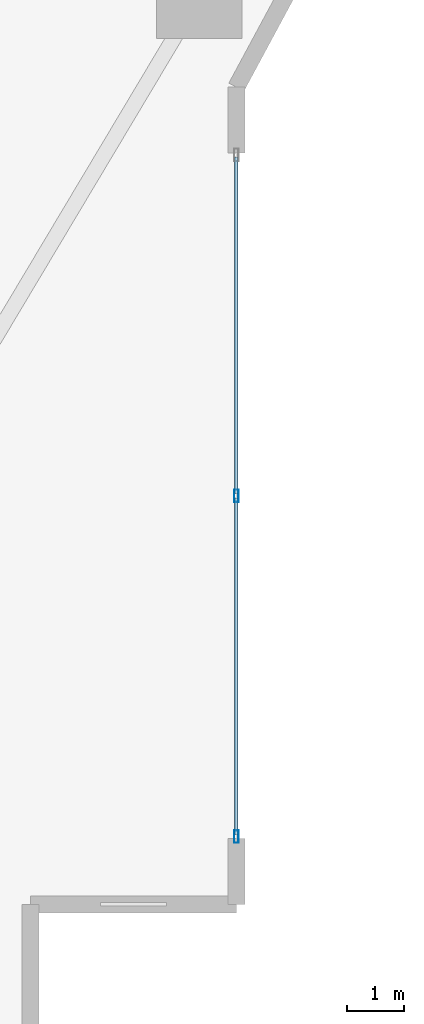
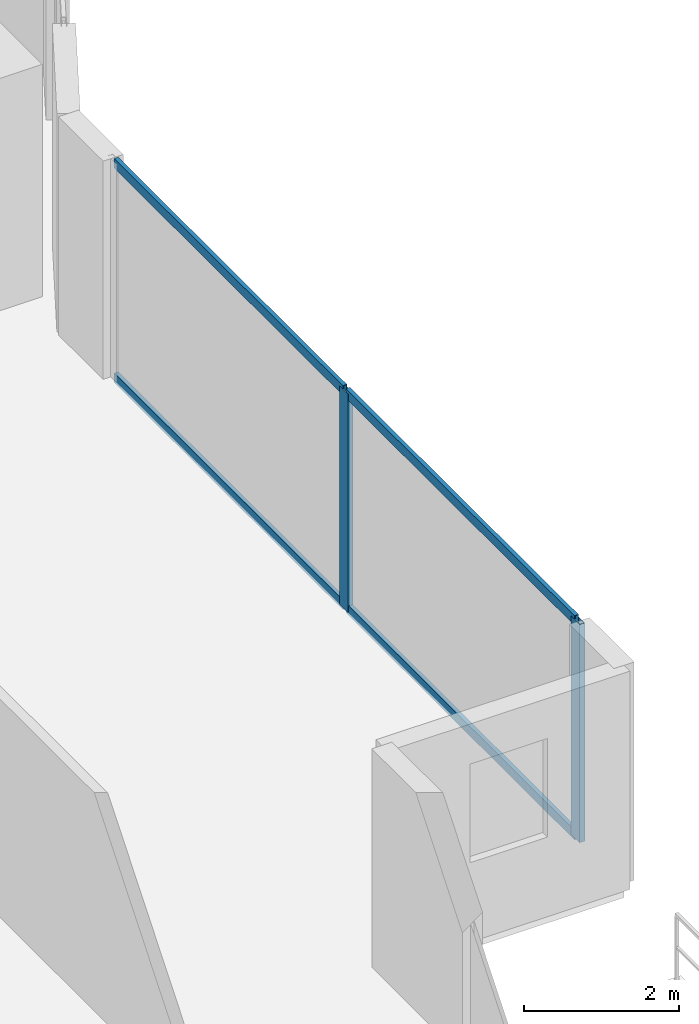
# One storey, part 10 of 29: 6 members, 1 element without a shape of its own.
"""IFC4 building model written with IfcOpenShell, lengths in metres."""

from ifc_helpers import new_model, si_unit, direction, frame, origin, origin_2d, place, context, subcontext, project, spatial, hollow_rectangle, extrude, material, layer, layer_set, material_profile, profile_set, type_object, element, aggregate, save


model = new_model("IFC4")

# Units and contexts
model_context = context("Model", 3, precision=1e-05, world=origin(), true_north=direction((0.0, 1.0)))
body_context = subcontext(model_context, "Body", "Model", "MODEL_VIEW")
ifc_project = project(units=[si_unit("LENGTHUNIT", "METRE"), si_unit("AREAUNIT", "SQUARE_METRE"), si_unit("VOLUMEUNIT", "CUBIC_METRE"), si_unit("PLANEANGLEUNIT", "RADIAN"), si_unit("MASSUNIT", "GRAM", prefix="KILO")], contexts=[model_context])

# Site, building, storey
site_placement = place(None, origin())
site = spatial("IfcSite", under=ifc_project, at=site_placement, CompositionType="ELEMENT")
building_placement = place(site_placement, origin())
building = spatial("IfcBuilding", under=site, at=building_placement, Name="Zuhayl Quay Hotel", CompositionType="ELEMENT")
storey_placement = place(building_placement, frame((0.0, 0.0, 45.85009765625)))
storey = spatial("IfcBuildingStorey", under=building, at=storey_placement, Name="L10", CompositionType="ELEMENT", Elevation=45.85009765625)

# Curtain wall, members
ifc_material_1 = material(Name="Anodised Aluminium 6063-T6", Category="aluminium")
ifc_layer = layer(ifc_material_1, 0.18994140625, Name="Anodised Aluminium 6063-T6", Category="aluminium")
ifc_layer_set = layer_set([ifc_layer], Name="Anodised Aluminium 6063-T6")
curtain_wall_type = type_object("IfcCurtainWallType", Name="CW_SYS_Z1", PredefinedType="USERDEFINED", material=ifc_layer_set)
curtain_wall_placement = place(storey_placement, origin())
curtain_wall = element("IfcCurtainWall", 1, at=curtain_wall_placement, inside=storey, type_object=curtain_wall_type, Name="L10 Curtain Wall ENV_L10_E14_CW1", ObjectType="UNITISED CURTAIN WALL", PredefinedType="USERDEFINED")
ifc_material_2 = material(Name="Black-anodised aluminium 6063-T6", Category="aluminium")
ifc_material_profile_1 = material_profile(ifc_material_2, hollow_rectangle(XDim=0.074951171875, YDim=0.219970703125, WallThickness=0.00390625, at=origin_2d()), Name="ALU220X75")
ifc_profile_set_1 = profile_set([ifc_material_profile_1], Name="Black-anodised aluminium 6063-T6")
member_type_1 = type_object("IfcMemberType", Name="MB_CW_MUL_220", PredefinedType="MULLION", material=ifc_profile_set_1)
member_1_placement = place(storey_placement, frame((25.699951171875, -12.35009765625, 0.0), z_axis=(0.0, 0.0, 1.0), x_axis=(1.0, 0.0, 0.0)))
member_1 = element("IfcMember", 2, at=member_1_placement, type_object=member_type_1, Name="CW-Z1 mullion 2", PredefinedType="MULLION", context=body_context, shape_type="SweptSolid", body=[
    extrude(hollow_rectangle(XDim=0.074951171875, YDim=0.219970703125, WallThickness=0.00390625, at=origin_2d()), origin(), (0.0, 0.0, 1.0), 3.429931640625),
])
member_2_placement = place(storey_placement, frame((25.699951171875, -18.3125, 0.0), z_axis=(0.0, 0.0, 1.0), x_axis=(1.0, 0.0, 0.0)))
member_2 = element("IfcMember", 3, at=member_2_placement, type_object=member_type_1, Name="CW-Z1 mullion 3", PredefinedType="MULLION", context=body_context, shape_type="SweptSolid", body=[
    extrude(hollow_rectangle(XDim=0.074951171875, YDim=0.219970703125, WallThickness=0.00390625, at=origin_2d()), origin(), (0.0, 0.0, 1.0), 3.429931640625),
])
ifc_material_profile_2 = material_profile(ifc_material_2, hollow_rectangle(XDim=0.06005859375, YDim=0.14990234375, WallThickness=0.00341796875, at=origin_2d()), Name="ALU150X60")
ifc_profile_set_2 = profile_set([ifc_material_profile_2], Name="Black-anodised aluminium 6063-T6")
member_type_2 = type_object("IfcMemberType", Name="MB_CW_TRN_150", PredefinedType="USERDEFINED", material=ifc_profile_set_2)
member_3_placement = place(storey_placement, frame((25.699951171875, -6.425048828125, 0.02978515625), z_axis=(0.0, -1.0, 0.0), x_axis=(1.0, 0.0, 0.0)))
member_3 = element("IfcMember", 4, at=member_3_placement, type_object=member_type_2, Name="CW-Z1 transom 1.1", ObjectType="TRANSOM", PredefinedType="USERDEFINED", context=body_context, shape_type="SweptSolid", body=[
    extrude(hollow_rectangle(XDim=0.06005859375, YDim=0.14990234375, WallThickness=0.00341796875, at=origin_2d()), origin(), (0.0, 0.0, 1.0), 5.887451171875),
])
member_4_placement = place(storey_placement, frame((25.699951171875, -6.425048828125, 3.39990234375), z_axis=(0.0, -1.0, 0.0), x_axis=(1.0, 0.0, 0.0)))
member_4 = element("IfcMember", 5, at=member_4_placement, type_object=member_type_2, Name="CW-Z1 transom 1.2", ObjectType="TRANSOM", PredefinedType="USERDEFINED", context=body_context, shape_type="SweptSolid", body=[
    extrude(hollow_rectangle(XDim=0.06005859375, YDim=0.14990234375, WallThickness=0.00341796875, at=origin_2d()), origin(), (0.0, 0.0, 1.0), 5.887451171875),
])
member_5_placement = place(storey_placement, frame((25.699951171875, -12.387451171875, 0.02978515625), z_axis=(0.0, -1.0, 0.0), x_axis=(1.0, 0.0, 0.0)))
member_5 = element("IfcMember", 6, at=member_5_placement, type_object=member_type_2, Name="CW-Z1 transom 2.1", ObjectType="TRANSOM", PredefinedType="USERDEFINED", context=body_context, shape_type="SweptSolid", body=[
    extrude(hollow_rectangle(XDim=0.06005859375, YDim=0.14990234375, WallThickness=0.00341796875, at=origin_2d()), origin(), (0.0, 0.0, 1.0), 5.887451171875),
])
member_6_placement = place(storey_placement, frame((25.699951171875, -12.387451171875, 3.39990234375), z_axis=(0.0, -1.0, 0.0), x_axis=(1.0, 0.0, 0.0)))
member_6 = element("IfcMember", 7, at=member_6_placement, type_object=member_type_2, Name="CW-Z1 transom 2.2", ObjectType="TRANSOM", PredefinedType="USERDEFINED", context=body_context, shape_type="SweptSolid", body=[
    extrude(hollow_rectangle(XDim=0.06005859375, YDim=0.14990234375, WallThickness=0.00341796875, at=origin_2d()), origin(), (0.0, 0.0, 1.0), 5.887451171875),
])
aggregate(curtain_wall, [member_1, member_2, member_3, member_4, member_5, member_6])

save(model, "model.ifc")
